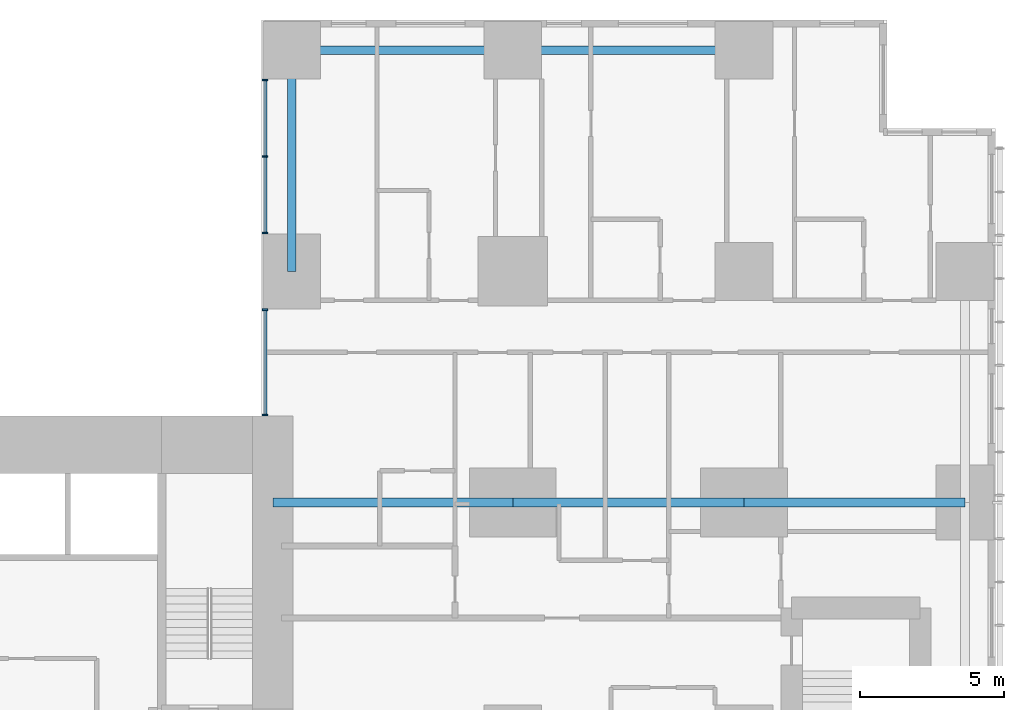
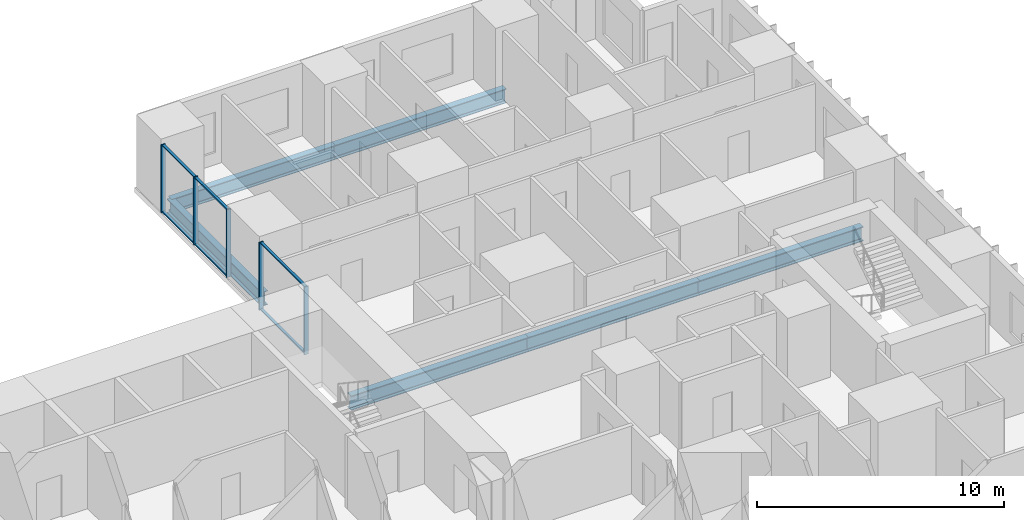
# One storey, part 5 of 21: 11 members, 6 beams, 2 elements without a shape of their own.
"""IFC4 building model written with IfcOpenShell, lengths in metres."""

import ifcopenshell
import ifcopenshell.guid

model = None  # the IFC model being written
_history = None  # IfcOwnerHistory: only IFC2X3 demands one
_inside = {}  # id of a spatial element -> (the spatial element, [elements in it])
_under = {}  # id of a project, library or spatial element -> (it, [spatial elements below it])
_declared = {}  # id of a project -> (the project, [libraries it declares])
_typed = {}  # id of a type object -> (the type object, [elements of that type])
_made_of = {}  # id of a material, layer set ... -> (it, [elements and type objects made of it])


def new_model(schema):
    """Start an empty IFC model of exactly this schema.

    Asked for "IFC4X3", IfcOpenShell would pick the latest addendum, in which some entities
    have other attributes; the version numbers below select the first issue.
    IFC2X3 requires an IfcOwnerHistory on every rooted entity: one is made here for all.
    """
    global model, _history
    if schema == "IFC4X3":
        model = ifcopenshell.file(schema_version=(4, 3, 0, 0))
    else:
        model = ifcopenshell.file(schema=schema)
    _inside.clear()
    _under.clear()
    _declared.clear()
    _typed.clear()
    _made_of.clear()
    _history = None
    if model.schema == "IFC2X3":
        org = make("IfcOrganization", Name="unknown")
        user = make(
            "IfcPersonAndOrganization",
            ThePerson=make("IfcPerson", FamilyName="unknown"),
            TheOrganization=org,
        )
        app = make(
            "IfcApplication",
            ApplicationDeveloper=org,
            Version="unknown",
            ApplicationFullName="unknown",
            ApplicationIdentifier="unknown",
        )
        _history = make(
            "IfcOwnerHistory",
            OwningUser=user,
            OwningApplication=app,
            ChangeAction="ADDED",
            CreationDate=0,
        )
    return model


def make(cls, **values):
    """One entity of the class cls with the attributes given. An attribute that is None is left unset."""
    return model.create_entity(
        cls, **{name: value for name, value in values.items() if value is not None}
    )


def rooted(cls, **values):
    """An entity with a GlobalId (a new one), such as an element, a storey or a relation."""
    return make(cls, GlobalId=ifcopenshell.guid.new(), OwnerHistory=_history, **values)


def si_unit(unit_type, name, prefix=None):
    """IfcSIUnit, for example si_unit("LENGTHUNIT", "METRE", prefix="MILLI")."""
    return make("IfcSIUnit", UnitType=unit_type, Prefix=prefix, Name=name)


def assignment(units):
    """IfcUnitAssignment: the units of a project."""
    return None if units is None else make("IfcUnitAssignment", Units=units)


def point(xyz):
    """IfcCartesianPoint."""
    return None if xyz is None else make("IfcCartesianPoint", Coordinates=xyz)


def direction(xyz):
    """IfcDirection."""
    return None if xyz is None else make("IfcDirection", DirectionRatios=xyz)


def frame(location, z_axis=None, x_axis=None):
    """IfcAxis2Placement3D, a coordinate frame: its origin and axes. An axis left out is left unset."""
    return make(
        "IfcAxis2Placement3D",
        Location=point(location),
        Axis=direction(z_axis),
        RefDirection=direction(x_axis),
    )


def frame_2d(location, x_axis=None):
    """IfcAxis2Placement2D, a coordinate frame in the plane: its origin and x axis."""
    return make(
        "IfcAxis2Placement2D", Location=point(location), RefDirection=direction(x_axis)
    )


def origin():
    """The frame at (0, 0, 0) with its axes left unset."""
    return frame((0.0, 0.0, 0.0))


def origin_2d():
    """The frame at (0, 0) in the plane with its x axis left unset."""
    return frame_2d((0.0, 0.0))


def place(relative_to, where):
    """IfcLocalPlacement: puts the frame where relative to a parent placement (None: the world)."""
    return make(
        "IfcLocalPlacement", PlacementRelTo=relative_to, RelativePlacement=where
    )


def context(
    kind, dimensions, precision=None, world=None, true_north=None, identifier=None
):
    """IfcGeometricRepresentationContext, for example the 3D "Model" context."""
    return make(
        "IfcGeometricRepresentationContext",
        ContextIdentifier=identifier,
        ContextType=kind,
        CoordinateSpaceDimension=dimensions,
        Precision=precision,
        WorldCoordinateSystem=world,
        TrueNorth=true_north,
    )


def subcontext(parent, identifier, kind, view, scale=None):
    """IfcGeometricRepresentationSubContext, for example "Body" below "Model"."""
    return make(
        "IfcGeometricRepresentationSubContext",
        ContextIdentifier=identifier,
        ContextType=kind,
        ParentContext=parent,
        TargetScale=scale,
        TargetView=view,
    )


def project(units=None, contexts=None):
    """IfcProject with its units and contexts."""
    return rooted(
        "IfcProject",
        Name="project",
        RepresentationContexts=contexts,
        UnitsInContext=assignment(units),
    )


def spatial(cls, under=None, at=None, **own):
    """A site, building, storey or space (cls), placed at a placement, below another one or the project."""
    s = rooted(cls, ObjectPlacement=at, **own)
    if under is not None:
        _under.setdefault(under.id(), (under, []))[1].append(s)
    return s


def profile(cls, at=None, kind="AREA", **sizes):
    """A parametric profile (cls). Its sizes go by their IFC names, for example OverallWidth=200.0."""
    return make(cls, ProfileType=kind, Position=at, **sizes)


def rectangle(**sizes):
    """IfcRectangleProfileDef."""
    return profile("IfcRectangleProfileDef", **sizes)


def i_section(**sizes):
    """IfcIShapeProfileDef."""
    return profile("IfcIShapeProfileDef", **sizes)


def extrude(swept, where, along, depth):
    """IfcExtrudedAreaSolid: the profile swept, set in the frame where, extruded along a direction by depth."""
    return make(
        "IfcExtrudedAreaSolid",
        SweptArea=swept,
        Position=where,
        ExtrudedDirection=direction(along),
        Depth=depth,
    )


def shape(context_of_items, identifier, shape_type, items):
    """IfcShapeRepresentation: the items that make up one representation, for example the "Body"."""
    return make(
        "IfcShapeRepresentation",
        ContextOfItems=context_of_items,
        RepresentationIdentifier=identifier,
        RepresentationType=shape_type,
        Items=items,
    )


def material(Name=None, Category=None):
    """IfcMaterial."""
    return make("IfcMaterial", Name=Name, Category=Category)


def layer(
    of_material, thickness, ventilated=None, Name=None, Category=None, Priority=None
):
    """IfcMaterialLayer: one layer of a wall or slab, of a material (None: an air gap)."""
    return make(
        "IfcMaterialLayer",
        Material=of_material,
        LayerThickness=thickness,
        IsVentilated=ventilated,
        Name=Name,
        Category=Category,
        Priority=Priority,
    )


def layer_set(layers, Name=None):
    """IfcMaterialLayerSet."""
    return make("IfcMaterialLayerSet", MaterialLayers=layers, LayerSetName=Name)


def material_profile(
    of_material, cross_section, Name=None, Category=None, Priority=None
):
    """IfcMaterialProfile: a cross section and its material."""
    return make(
        "IfcMaterialProfile",
        Name=Name,
        Material=of_material,
        Profile=cross_section,
        Priority=Priority,
        Category=Category,
    )


def profile_set(profiles, Name=None, composite=None):
    """IfcMaterialProfileSet."""
    return make(
        "IfcMaterialProfileSet",
        Name=Name,
        MaterialProfiles=profiles,
        CompositeProfile=composite,
    )


def made_of(thing, what):
    """Note that an element or type object is made of a material, layer set ...; save() writes the relation."""
    if what is not None:
        _made_of.setdefault(what.id(), (what, []))[1].append(thing)
    return thing


def type_object(cls, material=None, **own):
    """A type object (cls), such as IfcWallType, which elements share."""
    return made_of(rooted(cls, **own), material)


def element(
    cls,
    number,
    at=None,
    inside=None,
    cuts=None,
    type_object=None,
    material=None,
    context=None,
    identifier="Body",
    shape_type=None,
    held_by="IfcProductDefinitionShape",
    body=None,
    shapes=None,
    **own,
):
    """One element of the class cls, such as IfcWall. Its Tag is "e" and its number.

    at: its placement. inside: the storey or other place that contains it. cuts: it is an
    opening in that element (IfcRelVoidsElement). A single representation is given by context,
    identifier, shape_type and body (its items); several are given by shapes. held_by: the class
    of the entity that holds the representations. save() writes the other relations.
    """
    e = rooted(cls, Tag="e%d" % number, ObjectPlacement=at, **own)
    if body is not None:
        shapes = [shape(context, identifier, shape_type, body)]
    if shapes is not None:
        e.Representation = make(held_by, Representations=shapes)
    if inside is not None:
        _inside.setdefault(inside.id(), (inside, []))[1].append(e)
    if cuts is not None:
        rooted(
            "IfcRelVoidsElement", RelatingBuildingElement=cuts, RelatedOpeningElement=e
        )
    if type_object is not None:
        _typed.setdefault(type_object.id(), (type_object, []))[1].append(e)
    return made_of(e, material)


def aggregate(whole, parts):
    """IfcRelAggregates: a whole, such as a stair, and the parts it consists of."""
    return rooted("IfcRelAggregates", RelatingObject=whole, RelatedObjects=parts)


def save(model, path):
    """Write the relations noted so far, then the file.

    IfcRelAggregates (storeys below a building ...), IfcRelContainedInSpatialStructure (elements
    in a storey), IfcRelDefinesByType, IfcRelAssociatesMaterial and IfcRelDeclares: one each for
    every whole, place, type object, material and project.
    """
    for whole, parts in _under.values():
        aggregate(whole, parts)
    for where, things in _inside.values():
        rooted(
            "IfcRelContainedInSpatialStructure",
            RelatedElements=things,
            RelatingStructure=where,
        )
    for kind, things in _typed.values():
        rooted("IfcRelDefinesByType", RelatedObjects=things, RelatingType=kind)
    for what, things in _made_of.values():
        rooted("IfcRelAssociatesMaterial", RelatedObjects=things, RelatingMaterial=what)
    for by, libraries in _declared.values():
        rooted("IfcRelDeclares", RelatingContext=by, RelatedDefinitions=libraries)
    model.write(path)


model = new_model("IFC4")

# Units and contexts
model_context = context("Model", 3, precision=1e-05, world=origin(), true_north=direction((0.0, 1.0)))
body_context = subcontext(model_context, "Body", "Model", "MODEL_VIEW")
ifc_project = project(units=[si_unit("LENGTHUNIT", "METRE"), si_unit("AREAUNIT", "SQUARE_METRE"), si_unit("VOLUMEUNIT", "CUBIC_METRE"), si_unit("PLANEANGLEUNIT", "RADIAN"), si_unit("MASSUNIT", "GRAM", prefix="KILO")], contexts=[model_context])

# Site, building, storey
site_placement = place(None, origin())
site = spatial("IfcSite", under=ifc_project, at=site_placement, CompositionType="ELEMENT")
building_placement = place(site_placement, origin())
building = spatial("IfcBuilding", under=site, at=building_placement, Name="Cleftline Residences", CompositionType="ELEMENT")
storey_placement = place(building_placement, frame((0.0, 0.0, 58.39990234375)))
storey = spatial("IfcBuildingStorey", under=building, at=storey_placement, Name="L14", CompositionType="ELEMENT", Elevation=58.39990234375)

# Beams
ifc_material_1 = material(Name="Steel S355", Category="steel")
ifc_material_profile_1 = material_profile(ifc_material_1, i_section(OverallWidth=0.300048828125, OverallDepth=0.699951171875, WebThickness=0.01708984375, FlangeThickness=0.031982421875, FilletRadius=0.027099609375, at=origin_2d()))
ifc_profile_set_1 = profile_set([ifc_material_profile_1], Name="Steel S355")
beam_type_1 = type_object("IfcBeamType", Name="BEAM HEB 700", PredefinedType="BEAM", material=ifc_profile_set_1)
beam_1_placement = place(storey_placement, frame((58.0, 47.64990234375, -0.599853515625), z_axis=(-1.0, 0.0, 0.0), x_axis=(0.0, -1.0, 0.0)))
element("IfcBeam", 1, at=beam_1_placement, inside=storey, type_object=beam_type_1, Name="Edge beam", PredefinedType="BEAM", context=body_context, shape_type="SweptSolid", body=[
    extrude(i_section(OverallWidth=0.300048828125, OverallDepth=0.699951171875, WebThickness=0.01708984375, FlangeThickness=0.031982421875, FilletRadius=0.027099609375, at=origin_2d()), origin(), (0.0, 0.0, 1.0), 8.0),
])
for number, where, z_axis, x_axis, name in (
    (2, (50.0, 47.64990234375, -0.599853515625), (-1.0, 0.0, 0.0), (0.0, -1.0, 0.0), "Edge beam"),
    (3, (42.35009765625, 47.64990234375, -0.599853515625), (0.0, -1.0, 0.0), (1.0, 0.0, 0.0), "Edge beam"),
):
    element("IfcBeam", number, at=place(storey_placement, frame(where, z_axis=z_axis, x_axis=x_axis)), inside=storey, type_object=beam_type_1, Name=name, PredefinedType="BEAM", context=body_context, shape_type="SweptSolid", body=[
        extrude(i_section(OverallWidth=0.300048828125, OverallDepth=0.699951171875, WebThickness=0.01708984375, FlangeThickness=0.031982421875, FilletRadius=0.027099609375, at=origin_2d()), origin(), (0.0, 0.0, 1.0), 7.64990234375),
    ])
ifc_material_2 = material(Name="Steel S355", Category="steel")
ifc_material_profile_2 = material_profile(ifc_material_2, i_section(OverallWidth=0.303955078125, OverallDepth=0.716064453125, WebThickness=0.02099609375, FlangeThickness=0.0400390625, FilletRadius=0.027099609375, at=origin_2d()))
ifc_profile_set_2 = profile_set([ifc_material_profile_2], Name="Steel S355")
beam_type_2 = type_object("IfcBeamType", Name="BEAM HEM 700", PredefinedType="BEAM", material=ifc_profile_set_2)
beam_2_placement = place(storey_placement, frame((65.64990234375, 32.0, -0.60791015625), z_axis=(-1.0, 0.0, 0.0), x_axis=(0.0, -1.0, 0.0)))
element("IfcBeam", 4, at=beam_2_placement, inside=storey, type_object=beam_type_2, Name="Band beam", PredefinedType="BEAM", context=body_context, shape_type="SweptSolid", body=[
    extrude(i_section(OverallWidth=0.303955078125, OverallDepth=0.716064453125, WebThickness=0.02099609375, FlangeThickness=0.0400390625, FilletRadius=0.027099609375, at=origin_2d()), origin(), (0.0, 0.0, 1.0), 7.64990234375),
])
beam_3_placement = place(storey_placement, frame((58.0, 32.0, -0.60791015625), z_axis=(-1.0, 0.0, 0.0), x_axis=(0.0, -1.0, 0.0)))
element("IfcBeam", 5, at=beam_3_placement, inside=storey, type_object=beam_type_2, Name="Band beam", PredefinedType="BEAM", context=body_context, shape_type="SweptSolid", body=[
    extrude(i_section(OverallWidth=0.303955078125, OverallDepth=0.716064453125, WebThickness=0.02099609375, FlangeThickness=0.0400390625, FilletRadius=0.027099609375, at=origin_2d()), origin(), (0.0, 0.0, 1.0), 8.0),
])
beam_4_placement = place(storey_placement, frame((50.0, 32.0, -0.60791015625), z_axis=(-1.0, 0.0, 0.0), x_axis=(0.0, -1.0, 0.0)))
element("IfcBeam", 6, at=beam_4_placement, inside=storey, type_object=beam_type_2, Name="Band beam", PredefinedType="BEAM", context=body_context, shape_type="SweptSolid", body=[
    extrude(i_section(OverallWidth=0.303955078125, OverallDepth=0.716064453125, WebThickness=0.02099609375, FlangeThickness=0.0400390625, FilletRadius=0.027099609375, at=origin_2d()), origin(), (0.0, 0.0, 1.0), 8.300048828125),
])

# Curtain wall, members
ifc_material_3 = material(Name="Aluminium framed curtain wall", Category="aluminium")
ifc_layer = layer(ifc_material_3, 0.199951171875)
ifc_layer_set = layer_set([ifc_layer], Name="CW1 CLEFT GLAZING")
curtain_wall_type = type_object("IfcCurtainWallType", Name="CW1 CLEFT GLAZING", PredefinedType="NOTDEFINED", material=ifc_layer_set)
curtain_wall_1_placement = place(storey_placement, origin())
curtain_wall_1 = element("IfcCurtainWall", 7, at=curtain_wall_1_placement, inside=storey, type_object=curtain_wall_type, Name="Curtain wall CW1", PredefinedType="NOTDEFINED")
ifc_material_4 = material(Name="Aluminium mullion", Category="aluminium")
ifc_material_profile_3 = material_profile(ifc_material_4, rectangle(XDim=0.199951171875, YDim=0.06005859375, at=origin_2d()))
ifc_profile_set_3 = profile_set([ifc_material_profile_3], Name="Aluminium mullion")
member_type_1 = type_object("IfcMemberType", Name="CW1 MULLION", PredefinedType="MULLION", material=ifc_profile_set_3)
member_1_placement = place(storey_placement, frame((41.425048828125, 46.6201171875, 0.0), z_axis=(0.0, 0.0, 1.0), x_axis=(1.0, 0.0, 0.0)))
member_1 = element("IfcMember", 8, at=member_1_placement, type_object=member_type_1, Name="CW1 mullion 1", PredefinedType="MULLION", context=body_context, shape_type="SweptSolid", body=[
    extrude(rectangle(XDim=0.199951171875, YDim=0.06005859375, at=origin_2d()), origin(), (0.0, 0.0, 1.0), 3.35009765625),
])
member_2_placement = place(storey_placement, frame((41.425048828125, 43.97509765625, 0.0), z_axis=(0.0, 0.0, 1.0), x_axis=(1.0, 0.0, 0.0)))
member_2 = element("IfcMember", 9, at=member_2_placement, type_object=member_type_1, Name="CW1 mullion 2", PredefinedType="MULLION", context=body_context, shape_type="SweptSolid", body=[
    extrude(rectangle(XDim=0.199951171875, YDim=0.06005859375, at=origin_2d()), origin(), (0.0, 0.0, 1.0), 3.35009765625),
])
member_3_placement = place(storey_placement, frame((41.425048828125, 41.330078125, 0.0), z_axis=(0.0, 0.0, 1.0), x_axis=(1.0, 0.0, 0.0)))
member_3 = element("IfcMember", 10, at=member_3_placement, type_object=member_type_1, Name="CW1 mullion 3", PredefinedType="MULLION", context=body_context, shape_type="SweptSolid", body=[
    extrude(rectangle(XDim=0.199951171875, YDim=0.06005859375, at=origin_2d()), origin(), (0.0, 0.0, 1.0), 3.35009765625),
])

curtain_wall_2_placement = place(storey_placement, origin())
curtain_wall_2 = element("IfcCurtainWall", 11, at=curtain_wall_2_placement, inside=storey, type_object=curtain_wall_type, Name="Curtain wall CW1", PredefinedType="NOTDEFINED")
member_4_placement = place(storey_placement, frame((41.425048828125, 38.669921875, 0.0), z_axis=(0.0, 0.0, 1.0), x_axis=(1.0, 0.0, 0.0)))
member_4 = element("IfcMember", 12, at=member_4_placement, type_object=member_type_1, Name="CW1 mullion 1", PredefinedType="MULLION", context=body_context, shape_type="SweptSolid", body=[
    extrude(rectangle(XDim=0.199951171875, YDim=0.06005859375, at=origin_2d()), origin(), (0.0, 0.0, 1.0), 3.35009765625),
])
member_5_placement = place(storey_placement, frame((41.425048828125, 35.030029296875, 0.0), z_axis=(0.0, 0.0, 1.0), x_axis=(1.0, 0.0, 0.0)))
member_5 = element("IfcMember", 13, at=member_5_placement, type_object=member_type_1, Name="CW1 mullion 2", PredefinedType="MULLION", context=body_context, shape_type="SweptSolid", body=[
    extrude(rectangle(XDim=0.199951171875, YDim=0.06005859375, at=origin_2d()), origin(), (0.0, 0.0, 1.0), 3.35009765625),
])

# Member
ifc_material_5 = material(Name="Aluminium transom", Category="aluminium")
ifc_material_profile_4 = material_profile(ifc_material_5, rectangle(XDim=0.1201171875, YDim=0.06005859375, at=origin_2d()))
ifc_profile_set_4 = profile_set([ifc_material_profile_4], Name="Aluminium transom")
member_type_2 = type_object("IfcMemberType", Name="CW1 TRANSOM", PredefinedType="USERDEFINED", material=ifc_profile_set_4)
member_6_placement = place(storey_placement, frame((41.425048828125, 46.590087890625, 0.030029296875), z_axis=(0.0, -1.0, 0.0), x_axis=(1.0, 0.0, 0.0)))
member_6 = element("IfcMember", 14, at=member_6_placement, type_object=member_type_2, Name="CW1 transom 1.1", ObjectType="TRANSOM", PredefinedType="USERDEFINED", context=body_context, shape_type="SweptSolid", body=[
    extrude(rectangle(XDim=0.1201171875, YDim=0.06005859375, at=origin_2d()), origin(), (0.0, 0.0, 1.0), 2.585205078125),
])

member_7_placement = place(storey_placement, frame((41.425048828125, 46.590087890625, 3.320068359375), z_axis=(0.0, -1.0, 0.0), x_axis=(1.0, 0.0, 0.0)))
member_7 = element("IfcMember", 15, at=member_7_placement, type_object=member_type_2, Name="CW1 transom 1.2", ObjectType="TRANSOM", PredefinedType="USERDEFINED", context=body_context, shape_type="SweptSolid", body=[
    extrude(rectangle(XDim=0.1201171875, YDim=0.06005859375, at=origin_2d()), origin(), (0.0, 0.0, 1.0), 2.585205078125),
])

member_8_placement = place(storey_placement, frame((41.425048828125, 43.945068359375, 0.030029296875), z_axis=(0.0, -1.0, 0.0), x_axis=(1.0, 0.0, 0.0)))
member_8 = element("IfcMember", 16, at=member_8_placement, type_object=member_type_2, Name="CW1 transom 2.1", ObjectType="TRANSOM", PredefinedType="USERDEFINED", context=body_context, shape_type="SweptSolid", body=[
    extrude(rectangle(XDim=0.1201171875, YDim=0.06005859375, at=origin_2d()), origin(), (0.0, 0.0, 1.0), 2.5849609375),
])

member_9_placement = place(storey_placement, frame((41.425048828125, 43.945068359375, 3.320068359375), z_axis=(0.0, -1.0, 0.0), x_axis=(1.0, 0.0, 0.0)))
member_9 = element("IfcMember", 17, at=member_9_placement, type_object=member_type_2, Name="CW1 transom 2.2", ObjectType="TRANSOM", PredefinedType="USERDEFINED", context=body_context, shape_type="SweptSolid", body=[
    extrude(rectangle(XDim=0.1201171875, YDim=0.06005859375, at=origin_2d()), origin(), (0.0, 0.0, 1.0), 2.5849609375),
])

aggregate(curtain_wall_1, [member_1, member_2, member_3, member_6, member_7, member_8, member_9])

member_10_placement = place(storey_placement, frame((41.425048828125, 38.639892578125, 0.030029296875), z_axis=(0.0, -1.0, 0.0), x_axis=(1.0, 0.0, 0.0)))
member_10 = element("IfcMember", 18, at=member_10_placement, type_object=member_type_2, Name="CW1 transom 1.1", ObjectType="TRANSOM", PredefinedType="USERDEFINED", context=body_context, shape_type="SweptSolid", body=[
    extrude(rectangle(XDim=0.1201171875, YDim=0.06005859375, at=origin_2d()), origin(), (0.0, 0.0, 1.0), 3.579833984375),
])

member_11_placement = place(storey_placement, frame((41.425048828125, 38.639892578125, 3.320068359375), z_axis=(0.0, -1.0, 0.0), x_axis=(1.0, 0.0, 0.0)))
member_11 = element("IfcMember", 19, at=member_11_placement, type_object=member_type_2, Name="CW1 transom 1.2", ObjectType="TRANSOM", PredefinedType="USERDEFINED", context=body_context, shape_type="SweptSolid", body=[
    extrude(rectangle(XDim=0.1201171875, YDim=0.06005859375, at=origin_2d()), origin(), (0.0, 0.0, 1.0), 3.579833984375),
])

aggregate(curtain_wall_2, [member_4, member_5, member_10, member_11])

save(model, "model.ifc")
